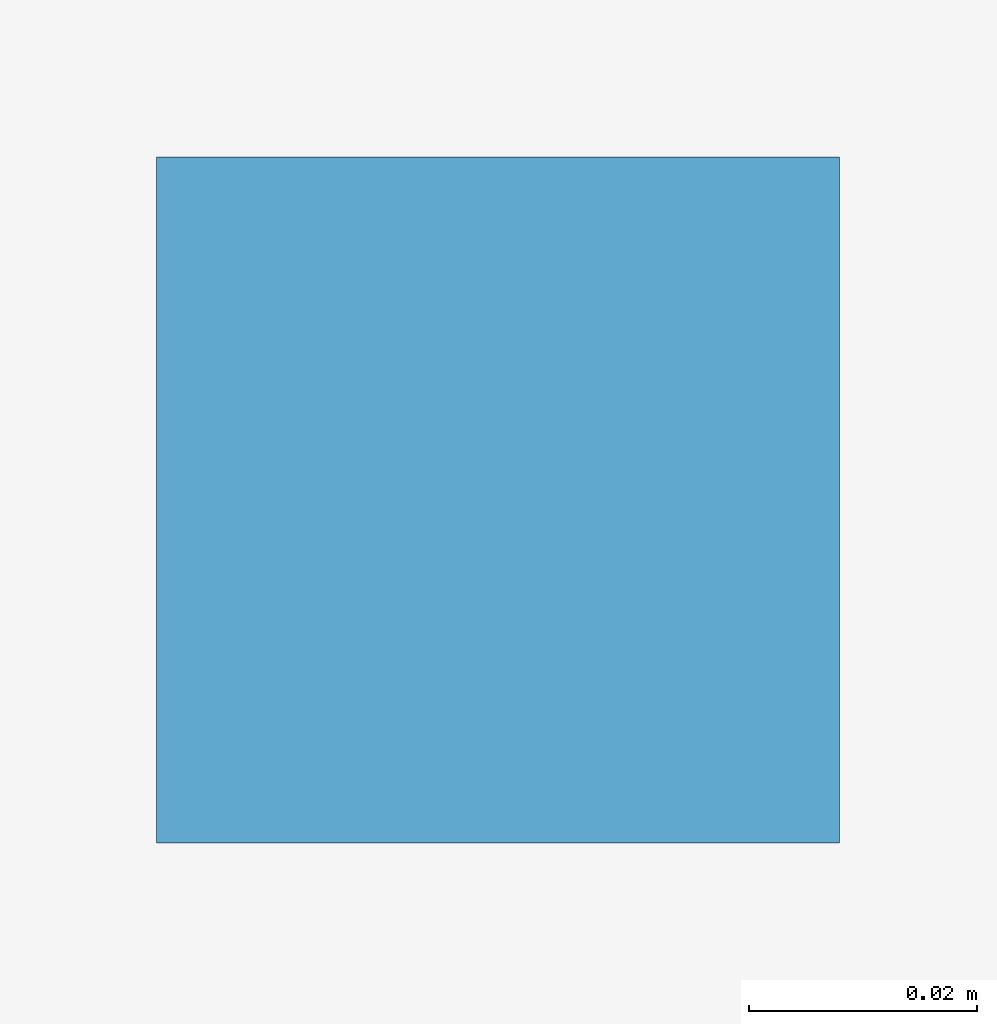
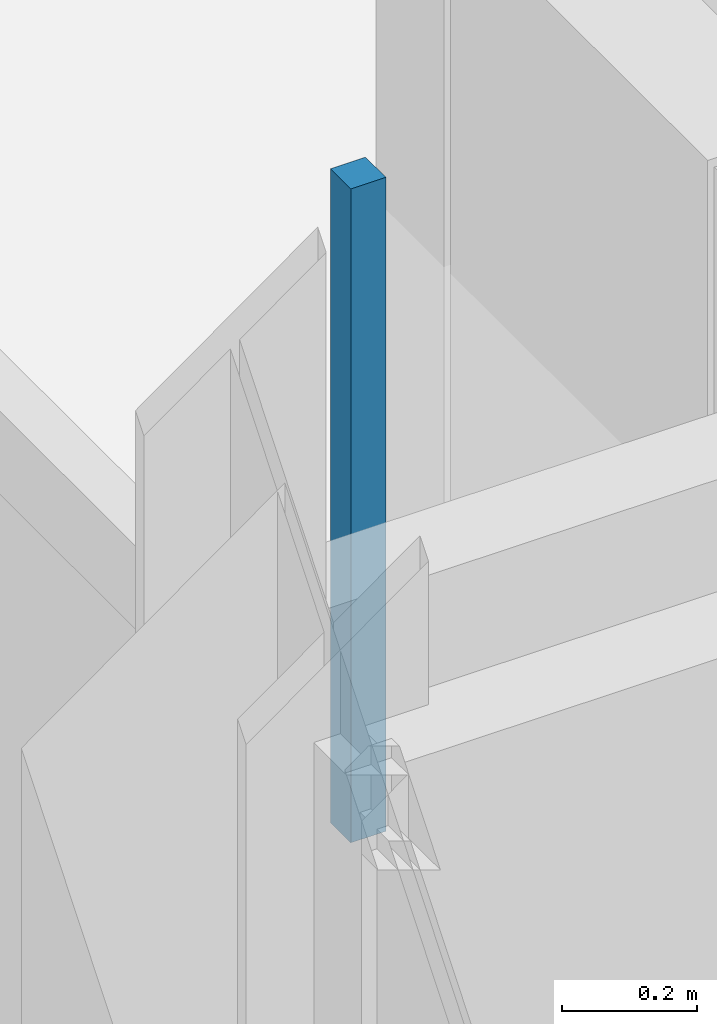
# One storey, part 85 of 110: 1 discrete accessory.
"""IFC4 building model written with IfcOpenShell, lengths in metres."""

from ifc_helpers import new_model, si_unit, direction, frame, origin, place, context, subcontext, project, spatial, polyline, outline, extrude, material, type_object, element, save


model = new_model("IFC4")

# Units and contexts
model_context = context("Model", 3, precision=1e-05, world=origin(), true_north=direction((0.0, 1.0)))
body_context = subcontext(model_context, "Body", "Model", "MODEL_VIEW")
ifc_project = project(units=[si_unit("LENGTHUNIT", "METRE"), si_unit("AREAUNIT", "SQUARE_METRE"), si_unit("VOLUMEUNIT", "CUBIC_METRE"), si_unit("PLANEANGLEUNIT", "RADIAN"), si_unit("MASSUNIT", "GRAM", prefix="KILO")], contexts=[model_context])

# Site, building, storey
site_placement = place(None, origin())
site = spatial("IfcSite", under=ifc_project, at=site_placement, CompositionType="ELEMENT")
building_placement = place(site_placement, origin())
building = spatial("IfcBuilding", under=site, at=building_placement, Name="Dunescarp Central Library", CompositionType="ELEMENT")
storey_placement = place(building_placement, frame((0.0, 0.0, 9.60009765625)))
storey = spatial("IfcBuildingStorey", under=building, at=storey_placement, Name="L02", CompositionType="ELEMENT", Elevation=9.60009765625)

# Discrete accessory
ifc_material = material(Name="Stainless steel Grade 316L", Category="steel")
discrete_accessory_type = type_object("IfcDiscreteAccessoryType", Name="ARC-ACC-BRK", PredefinedType="BRACKET", material=ifc_material)
discrete_accessory_placement = place(storey_placement, frame((0.0, 0.0, 3.059814453125)))
element("IfcDiscreteAccessory", 1, at=discrete_accessory_placement, inside=storey, type_object=discrete_accessory_type, Name="L02 ceiling hanger CLG-L02-133-H1", PredefinedType="BRACKET", context=body_context, shape_type="SweptSolid", body=[
    extrude(outline(polyline([(0.360107421875, 90.02001953125), (0.419921875, 90.02001953125), (0.419921875, 90.080078125), (0.360107421875, 90.080078125), (0.360107421875, 90.02001953125)])), origin(), (0.0, 0.0, 1.0), 1.18017578125),
])

save(model, "model.ifc")
